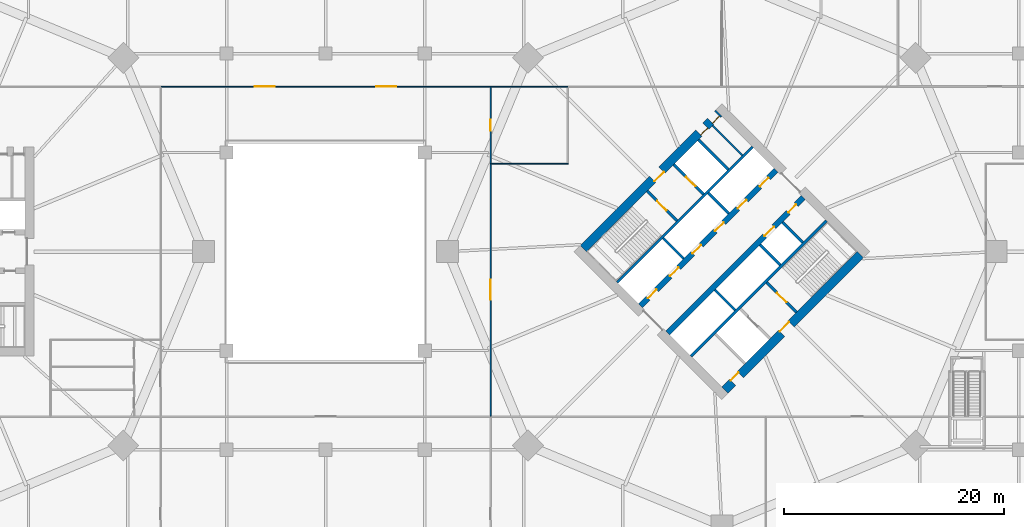
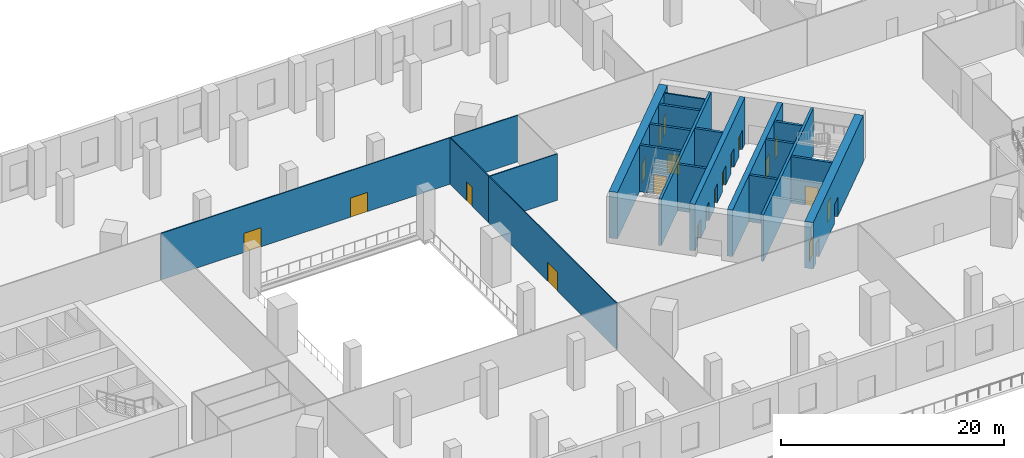
# One storey, part 8 of 20: 21 walls, 20 doors, 20 openings.
"""IFC4 building model written with IfcOpenShell, lengths in metres."""

from ifc_helpers import new_model, si_unit, direction, frame, frame_2d, origin, place, context, subcontext, project, spatial, rectangle, extrude, material, layer, layer_set, type_object, element, fill, save


model = new_model("IFC4")

# Units and contexts
model_context = context("Model", 3, precision=1e-05, world=origin(), true_north=direction((0.0, 1.0)))
body_context = subcontext(model_context, "Body", "Model", "MODEL_VIEW")
ifc_project = project(units=[si_unit("LENGTHUNIT", "METRE"), si_unit("AREAUNIT", "SQUARE_METRE"), si_unit("VOLUMEUNIT", "CUBIC_METRE"), si_unit("PLANEANGLEUNIT", "RADIAN"), si_unit("MASSUNIT", "GRAM", prefix="KILO")], contexts=[model_context])

# Site, building, storey
site_placement = place(None, origin())
site = spatial("IfcSite", under=ifc_project, at=site_placement, CompositionType="ELEMENT")
building_placement = place(site_placement, origin())
building = spatial("IfcBuilding", under=site, at=building_placement, Name="Ogive Gate Towers", CompositionType="ELEMENT")
storey_placement = place(building_placement, frame((0.0, 0.0, 7.199951171875)))
storey = spatial("IfcBuildingStorey", under=building, at=storey_placement, Name="L01", CompositionType="ELEMENT", Elevation=7.199951171875)

# Wall, openings, doors
ifc_material_1 = material(Name="Concrete C60/75", Category="concrete")
ifc_layer_1 = layer(ifc_material_1, 0.800048828125)
ifc_layer_set_1 = layer_set([ifc_layer_1], Name="Core wall 800 mm")
wall_type_1 = type_object("IfcWallType", Name="Core wall 800 mm", PredefinedType="SHEAR", material=ifc_layer_set_1)
wall_1_placement = place(storey_placement, frame((36.28271484375, -12.58642578125, 0.0), z_axis=(0.0, 0.0, 1.0), x_axis=(0.707106781187, 0.707106781187, 0.0)))
wall_1 = element("IfcWall", 1, at=wall_1_placement, inside=storey, type_object=wall_type_1, Name="T2 L01 Core wall 800 mm", PredefinedType="SHEAR", context=body_context, shape_type="SweptSolid", body=[
    extrude(rectangle(XDim=17.400146484375, YDim=0.800048828125, at=frame_2d((8.7001953125, 0.0))), origin(), (0.0, 0.0, 1.0), 5.10009765625),
])
opening_1_placement = place(wall_1_placement, frame((7.300048828125, 0.0, 0.0)))
opening_1 = element("IfcOpeningElement", 2, at=opening_1_placement, cuts=wall_1, Name="Opening KD-T2-L01-16", PredefinedType="OPENING", context=body_context, shape_type="SweptSolid", body=[
    extrude(rectangle(XDim=1.199951171875, YDim=2.10009765625, at=frame_2d((0.60009765625, 1.050048828125))), frame((0.0, 0.41015625, 0.0), z_axis=(0.0, -1.0, 0.0), x_axis=(1.0, 0.0, 0.0)), (0.0, 0.0, 1.0), 0.820068359375),
])
opening_2_placement = place(wall_1_placement, frame((1.0, 0.0, 0.0)))
opening_2 = element("IfcOpeningElement", 3, at=opening_2_placement, cuts=wall_1, Name="Opening KD-T2-L01-19", PredefinedType="OPENING", context=body_context, shape_type="SweptSolid", body=[
    extrude(rectangle(XDim=1.0, YDim=2.10009765625, at=frame_2d((0.5, 1.050048828125))), frame((0.0, 0.41015625, 0.0), z_axis=(0.0, -1.0, 0.0), x_axis=(1.0, 0.0, 0.0)), (0.0, 0.0, 1.0), 0.820068359375),
])
ifc_material_2 = material(Name="Timber door", Category="wood")
door_type_1 = type_object("IfcDoorType", Name="Accessible WC door 1000 x 2100", OperationType="NOTDEFINED", PredefinedType="DOOR", material=ifc_material_2)
door_1_placement = place(opening_2_placement, origin())
door_1 = element("IfcDoor", 4, at=door_1_placement, inside=storey, type_object=door_type_1, Name="T2 L01 Core door", OperationType="SINGLE_SWING_RIGHT", OverallHeight=2.10009765625, OverallWidth=1.0, PredefinedType="DOOR", context=body_context, shape_type="SweptSolid", body=[
    extrude(rectangle(XDim=1.0, YDim=2.10009765625, at=frame_2d((0.5, 1.050048828125))), frame((0.0, 0.27490234375, 0.0), z_axis=(0.0, -1.0, 0.0), x_axis=(1.0, 0.0, 0.0)), (0.0, 0.0, 1.0), 0.050048828125),
])
fill(opening_2, door_1)
ifc_material_3 = material(Name="Steel fire door", Category="steel")
door_type_2 = type_object("IfcDoorType", Name="Core door FD60S 1200 x 2100", OperationType="NOTDEFINED", PredefinedType="DOOR", material=ifc_material_3)
door_2_placement = place(opening_1_placement, origin())
door_2 = element("IfcDoor", 5, at=door_2_placement, inside=storey, type_object=door_type_2, Name="T2 L01 Fire-fighting lobby door", OperationType="SINGLE_SWING_LEFT", OverallHeight=2.10009765625, OverallWidth=1.199951171875, PredefinedType="DOOR", context=body_context, shape_type="SweptSolid", body=[
    extrude(rectangle(XDim=1.199951171875, YDim=2.10009765625, at=frame_2d((0.60009765625, 1.050048828125))), frame((0.0, 0.27490234375, 0.0), z_axis=(0.0, -1.0, 0.0), x_axis=(1.0, 0.0, 0.0)), (0.0, 0.0, 1.0), 0.050048828125),
])
fill(opening_1, door_2)

wall_2_placement = place(storey_placement, frame((23.41357421875, 0.28271484375, 0.0), z_axis=(0.0, 0.0, 1.0), x_axis=(0.707106781187, 0.707106781187, 0.0)))
wall_2 = element("IfcWall", 6, at=wall_2_placement, inside=storey, type_object=wall_type_1, Name="T2 L01 Core wall 800 mm", PredefinedType="SHEAR", context=body_context, shape_type="SweptSolid", body=[
    extrude(rectangle(XDim=17.400146484375, YDim=0.800048828125, at=frame_2d((8.7001953125, 0.0))), origin(), (0.0, 0.0, 1.0), 5.10009765625),
])
opening_3_placement = place(wall_2_placement, frame((8.89990234375, 0.0, 0.0)))
opening_3 = element("IfcOpeningElement", 7, at=opening_3_placement, cuts=wall_2, Name="Opening KD-T2-L01-15", PredefinedType="OPENING", context=body_context, shape_type="SweptSolid", body=[
    extrude(rectangle(XDim=1.199951171875, YDim=2.10009765625, at=frame_2d((0.60009765625, 1.050048828125))), frame((0.0, 0.41015625, 0.0), z_axis=(0.0, -1.0, 0.0), x_axis=(1.0, 0.0, 0.0)), (0.0, 0.0, 1.0), 0.820068359375),
])
opening_4_placement = place(wall_2_placement, frame((14.85009765625, 0.0, 0.0)))
opening_4 = element("IfcOpeningElement", 8, at=opening_4_placement, cuts=wall_2, Name="Opening KD-T2-L01-17", PredefinedType="OPENING", context=body_context, shape_type="SweptSolid", body=[
    extrude(rectangle(XDim=0.89990234375, YDim=2.10009765625, at=frame_2d((0.449951171875, 1.050048828125))), frame((0.0, 0.41015625, 0.0), z_axis=(0.0, -1.0, 0.0), x_axis=(1.0, 0.0, 0.0)), (0.0, 0.0, 1.0), 0.820068359375),
])
opening_5_placement = place(wall_2_placement, frame((16.35009765625, 0.0, 0.0)))
opening_5 = element("IfcOpeningElement", 9, at=opening_5_placement, cuts=wall_2, Name="Opening KD-T2-L01-18", PredefinedType="OPENING", context=body_context, shape_type="SweptSolid", body=[
    extrude(rectangle(XDim=0.89990234375, YDim=2.10009765625, at=frame_2d((0.449951171875, 1.050048828125))), frame((0.0, 0.41015625, 0.0), z_axis=(0.0, -1.0, 0.0), x_axis=(1.0, 0.0, 0.0)), (0.0, 0.0, 1.0), 0.820068359375),
])
door_type_3 = type_object("IfcDoorType", Name="Core WC door 900 x 2100", OperationType="NOTDEFINED", PredefinedType="DOOR", material=ifc_material_2)
door_3_placement = place(opening_4_placement, origin())
door_3 = element("IfcDoor", 10, at=door_3_placement, inside=storey, type_object=door_type_3, Name="T2 L01 Core door", OperationType="SINGLE_SWING_RIGHT", OverallHeight=2.10009765625, OverallWidth=0.89990234375, PredefinedType="DOOR", context=body_context, shape_type="SweptSolid", body=[
    extrude(rectangle(XDim=0.89990234375, YDim=2.10009765625, at=frame_2d((0.449951171875, 1.050048828125))), frame((0.0, -0.22509765625, 0.0), z_axis=(0.0, -1.0, 0.0), x_axis=(1.0, 0.0, 0.0)), (0.0, 0.0, 1.0), 0.050048828125),
])
fill(opening_4, door_3)
door_4_placement = place(opening_5_placement, origin())
door_4 = element("IfcDoor", 11, at=door_4_placement, inside=storey, type_object=door_type_3, Name="T2 L01 Core door", OperationType="SINGLE_SWING_LEFT", OverallHeight=2.10009765625, OverallWidth=0.89990234375, PredefinedType="DOOR", context=body_context, shape_type="SweptSolid", body=[
    extrude(rectangle(XDim=0.89990234375, YDim=2.10009765625, at=frame_2d((0.449951171875, 1.050048828125))), frame((0.0, -0.22509765625, 0.0), z_axis=(0.0, -1.0, 0.0), x_axis=(1.0, 0.0, 0.0)), (0.0, 0.0, 1.0), 0.050048828125),
])
fill(opening_5, door_4)
door_5_placement = place(opening_3_placement, origin())
door_5 = element("IfcDoor", 12, at=door_5_placement, inside=storey, type_object=door_type_2, Name="T2 L01 Fire-fighting lobby door", OperationType="SINGLE_SWING_RIGHT", OverallHeight=2.10009765625, OverallWidth=1.199951171875, PredefinedType="DOOR", context=body_context, shape_type="SweptSolid", body=[
    extrude(rectangle(XDim=1.199951171875, YDim=2.10009765625, at=frame_2d((0.60009765625, 1.050048828125))), frame((0.0, -0.22509765625, 0.0), z_axis=(0.0, -1.0, 0.0), x_axis=(1.0, 0.0, 0.0)), (0.0, 0.0, 1.0), 0.050048828125),
])
fill(opening_3, door_5)

ifc_material_4 = material(Name="Gypsum board partition")
ifc_layer_2 = layer(ifc_material_4, 0.10009765625)
ifc_layer_set_2 = layer_set([ifc_layer_2], Name="Partition wall 100")
wall_type_2 = type_object("IfcWallType", Name="Partition wall 100", PredefinedType="PARTITIONING", material=ifc_layer_set_2)
wall_3_placement = place(storey_placement, frame((-15.0, 15.0, 0.0), z_axis=(0.0, 0.0, 1.0), x_axis=(1.0, 0.0, 0.0)))
wall_3 = element("IfcWall", 13, at=wall_3_placement, inside=storey, type_object=wall_type_2, Name="L01 partition 019", PredefinedType="PARTITIONING", context=body_context, shape_type="SweptSolid", body=[
    extrude(rectangle(XDim=30.0, YDim=0.10009765625, at=frame_2d((15.0, 0.0))), origin(), (0.0, 0.0, 1.0), 5.10009765625),
])
opening_6_placement = place(wall_3_placement, frame((8.580078125, 0.0, 0.0)))
opening_6 = element("IfcOpeningElement", 14, at=opening_6_placement, cuts=wall_3, Name="Opening PO134", PredefinedType="OPENING", context=body_context, shape_type="SweptSolid", body=[
    extrude(rectangle(XDim=1.800048828125, YDim=2.10009765625, at=frame_2d((0.89990234375, 1.050048828125))), frame((0.0, 0.06005859375, 0.0), z_axis=(0.0, -1.0, 0.0), x_axis=(1.0, 0.0, 0.0)), (0.0, 0.0, 1.0), 0.1201171875),
])
opening_7_placement = place(wall_3_placement, frame((19.6201171875, 0.0, 0.0)))
opening_7 = element("IfcOpeningElement", 15, at=opening_7_placement, cuts=wall_3, Name="Opening PO135", PredefinedType="OPENING", context=body_context, shape_type="SweptSolid", body=[
    extrude(rectangle(XDim=1.800048828125, YDim=2.10009765625, at=frame_2d((0.89990234375, 1.050048828125))), frame((0.0, 0.06005859375, 0.0), z_axis=(0.0, -1.0, 0.0), x_axis=(1.0, 0.0, 0.0)), (0.0, 0.0, 1.0), 0.1201171875),
])
door_type_4 = type_object("IfcDoorType", Name="Double door 1800 x 2100", OperationType="NOTDEFINED", PredefinedType="DOOR", material=ifc_material_2)
door_6_placement = place(opening_6_placement, origin())
door_6 = element("IfcDoor", 16, at=door_6_placement, inside=storey, type_object=door_type_4, Name="Door PO134", OperationType="DOUBLE_DOOR_DOUBLE_SWING", OverallHeight=2.10009765625, OverallWidth=1.800048828125, PredefinedType="DOOR", context=body_context, shape_type="SweptSolid", body=[
    extrude(rectangle(XDim=1.800048828125, YDim=2.10009765625, at=frame_2d((0.89990234375, 1.050048828125))), frame((0.0, 0.02490234375, 0.0), z_axis=(0.0, -1.0, 0.0), x_axis=(1.0, 0.0, 0.0)), (0.0, 0.0, 1.0), 0.050048828125),
])
fill(opening_6, door_6)
door_7_placement = place(opening_7_placement, origin())
door_7 = element("IfcDoor", 17, at=door_7_placement, inside=storey, type_object=door_type_4, Name="Door PO135", OperationType="DOUBLE_DOOR_DOUBLE_SWING", OverallHeight=2.10009765625, OverallWidth=1.800048828125, PredefinedType="DOOR", context=body_context, shape_type="SweptSolid", body=[
    extrude(rectangle(XDim=1.800048828125, YDim=2.10009765625, at=frame_2d((0.89990234375, 1.050048828125))), frame((0.0, 0.02490234375, 0.0), z_axis=(0.0, -1.0, 0.0), x_axis=(1.0, 0.0, 0.0)), (0.0, 0.0, 1.0), 0.050048828125),
])
fill(opening_7, door_7)

# Wall
wall_4_placement = place(storey_placement, frame((15.0, 15.0, 0.0), z_axis=(0.0, 0.0, 1.0), x_axis=(1.0, 0.0, 0.0)))
element("IfcWall", 18, at=wall_4_placement, inside=storey, type_object=wall_type_2, Name="L01 partition 020", PredefinedType="PARTITIONING", context=body_context, shape_type="SweptSolid", body=[
    extrude(rectangle(XDim=7.0, YDim=0.10009765625, at=frame_2d((3.5, 0.0))), origin(), (0.0, 0.0, 1.0), 5.10009765625),
])

# Wall, opening, door
wall_5_placement = place(storey_placement, frame((15.0, 8.0, 0.0), z_axis=(0.0, 0.0, 1.0), x_axis=(0.0, 1.0, 0.0)))
wall_5 = element("IfcWall", 19, at=wall_5_placement, inside=storey, type_object=wall_type_2, Name="L01 partition 030", PredefinedType="PARTITIONING", context=body_context, shape_type="SweptSolid", body=[
    extrude(rectangle(XDim=6.949951171875, YDim=0.10009765625, at=frame_2d((3.47509765625, 0.0))), origin(), (0.0, 0.0, 1.0), 5.10009765625),
])
opening_8_placement = place(wall_5_placement, frame((2.97509765625, 0.0, 0.0)))
opening_8 = element("IfcOpeningElement", 20, at=opening_8_placement, cuts=wall_5, Name="Opening PO151", PredefinedType="OPENING", context=body_context, shape_type="SweptSolid", body=[
    extrude(rectangle(XDim=1.0, YDim=2.10009765625, at=frame_2d((0.5, 1.050048828125))), frame((0.0, 0.06005859375, 0.0), z_axis=(0.0, -1.0, 0.0), x_axis=(1.0, 0.0, 0.0)), (0.0, 0.0, 1.0), 0.1201171875),
])
door_type_5 = type_object("IfcDoorType", Name="Door 1000 x 2100", OperationType="NOTDEFINED", PredefinedType="DOOR", material=ifc_material_2)
door_8_placement = place(opening_8_placement, origin())
door_8 = element("IfcDoor", 21, at=door_8_placement, inside=storey, type_object=door_type_5, Name="Door PO151", OperationType="SINGLE_SWING_LEFT", OverallHeight=2.10009765625, OverallWidth=1.0, PredefinedType="DOOR", context=body_context, shape_type="SweptSolid", body=[
    extrude(rectangle(XDim=1.0, YDim=2.10009765625, at=frame_2d((0.5, 1.050048828125))), frame((0.0, 0.02490234375, 0.0), z_axis=(0.0, -1.0, 0.0), x_axis=(1.0, 0.0, 0.0)), (0.0, 0.0, 1.0), 0.050048828125),
])
fill(opening_8, door_8)

wall_6_placement = place(storey_placement, frame((15.0, -14.949951171875, 0.0), z_axis=(0.0, 0.0, 1.0), x_axis=(0.0, 1.0, 0.0)))
wall_6 = element("IfcWall", 22, at=wall_6_placement, inside=storey, type_object=wall_type_2, Name="L01 partition 032", PredefinedType="PARTITIONING", context=body_context, shape_type="SweptSolid", body=[
    extrude(rectangle(XDim=22.949951171875, YDim=0.10009765625, at=frame_2d((11.47509765625, 0.0))), origin(), (0.0, 0.0, 1.0), 5.10009765625),
])
opening_9_placement = place(wall_6_placement, frame((10.574951171875, 0.0, 0.0)))
opening_9 = element("IfcOpeningElement", 23, at=opening_9_placement, cuts=wall_6, Name="Opening PO153", PredefinedType="OPENING", context=body_context, shape_type="SweptSolid", body=[
    extrude(rectangle(XDim=1.800048828125, YDim=2.10009765625, at=frame_2d((0.89990234375, 1.050048828125))), frame((0.0, 0.06005859375, 0.0), z_axis=(0.0, -1.0, 0.0), x_axis=(1.0, 0.0, 0.0)), (0.0, 0.0, 1.0), 0.1201171875),
])
door_9_placement = place(opening_9_placement, origin())
door_9 = element("IfcDoor", 24, at=door_9_placement, inside=storey, type_object=door_type_4, Name="Door PO153", OperationType="DOUBLE_DOOR_DOUBLE_SWING", OverallHeight=2.10009765625, OverallWidth=1.800048828125, PredefinedType="DOOR", context=body_context, shape_type="SweptSolid", body=[
    extrude(rectangle(XDim=1.800048828125, YDim=2.10009765625, at=frame_2d((0.89990234375, 1.050048828125))), frame((0.0, 0.02490234375, 0.0), z_axis=(0.0, -1.0, 0.0), x_axis=(1.0, 0.0, 0.0)), (0.0, 0.0, 1.0), 0.050048828125),
])
fill(opening_9, door_9)

# Walls
wall_7_placement = place(storey_placement, frame((15.050048828125, 8.0, 0.0), z_axis=(0.0, 0.0, 1.0), x_axis=(1.0, 0.0, 0.0)))
element("IfcWall", 25, at=wall_7_placement, inside=storey, type_object=wall_type_2, Name="L01 partition 060", PredefinedType="PARTITIONING", context=body_context, shape_type="SweptSolid", body=[
    extrude(rectangle(XDim=7.0, YDim=0.10009765625, at=frame_2d((3.5, 0.0))), origin(), (0.0, 0.0, 1.0), 5.10009765625),
])
ifc_layer_3 = layer(ifc_material_4, 0.14990234375)
ifc_layer_set_3 = layer_set([ifc_layer_3], Name="Room partition 150 mm")
wall_type_3 = type_object("IfcWallType", Name="Room partition 150 mm", PredefinedType="PARTITIONING", material=ifc_layer_set_3)
wall_8_placement = place(storey_placement, frame((37.856201171875, 8.75048828125, 0.0), z_axis=(0.0, 0.0, 1.0), x_axis=(-0.707106781187, 0.707106781187, 0.0)))
element("IfcWall", 26, at=wall_8_placement, inside=storey, type_object=wall_type_3, Name="T2 L01 Room partition 150 mm", PredefinedType="PARTITIONING", context=body_context, shape_type="SweptSolid", body=[
    extrude(rectangle(XDim=3.824951171875, YDim=0.14990234375, at=frame_2d((1.91259765625, 0.0))), origin(), (0.0, 0.0, 1.0), 5.10009765625),
])
ifc_layer_4 = layer(ifc_material_1, 0.25)
ifc_layer_set_4 = layer_set([ifc_layer_4], Name="Shaft wall 250 mm")
wall_type_4 = type_object("IfcWallType", Name="Shaft wall 250 mm", PredefinedType="SHEAR", material=ifc_layer_set_4)
for number, where, z_axis, x_axis, name in (
    (27, (33.206787109375, -9.510498046875, 0.0), (0.0, 0.0, 1.0), (0.707106781187, 0.707106781187, 0.0), "T2 L01 Shaft wall 250 mm"),
    (28, (26.489501953125, -2.793212890625, 0.0), (0.0, 0.0, 1.0), (0.707106781187, 0.707106781187, 0.0), "T2 L01 Shaft wall 250 mm"),
):
    element("IfcWall", number, at=place(storey_placement, frame(where, z_axis=z_axis, x_axis=x_axis)), inside=storey, type_object=wall_type_4, Name=name, PredefinedType="SHEAR", context=body_context, shape_type="SweptSolid", body=[
        extrude(rectangle(XDim=17.400146484375, YDim=0.25, at=frame_2d((8.7001953125, 0.0))), origin(), (0.0, 0.0, 1.0), 5.10009765625),
    ])
for number, where, z_axis, x_axis, name in (
    (29, (37.2197265625, -5.321044921875, 0.0), (0.0, 0.0, 1.0), (-0.707106781187, 0.707106781187, 0.0), "T2 L01 Shaft wall 250 mm"),
    (30, (32.53515625, -0.636474609375, 0.0), (0.0, 0.0, 1.0), (-0.707106781187, 0.707106781187, 0.0), "T2 L01 Shaft wall 250 mm"),
):
    element("IfcWall", number, at=place(storey_placement, frame(where, z_axis=z_axis, x_axis=x_axis)), inside=storey, type_object=wall_type_4, Name=name, PredefinedType="SHEAR", context=body_context, shape_type="SweptSolid", body=[
        extrude(rectangle(XDim=2.625, YDim=0.25, at=frame_2d((1.3125, 0.0))), origin(), (0.0, 0.0, 1.0), 5.10009765625),
    ])

# Wall, opening, door
wall_9_placement = place(storey_placement, frame((31.91650390625, 2.810791015625, 0.0), z_axis=(0.0, 0.0, 1.0), x_axis=(-0.707106781187, 0.707106781187, 0.0)))
wall_9 = element("IfcWall", 31, at=wall_9_placement, inside=storey, type_object=wall_type_4, Name="T2 L01 Shaft wall 250 mm", PredefinedType="SHEAR", context=body_context, shape_type="SweptSolid", body=[
    extrude(rectangle(XDim=3.824951171875, YDim=0.25, at=frame_2d((1.91259765625, 0.0))), origin(), (0.0, 0.0, 1.0), 5.10009765625),
])
opening_10_placement = place(wall_9_placement, frame((1.324951171875, 0.0, 0.0)))
opening_10 = element("IfcOpeningElement", 32, at=opening_10_placement, cuts=wall_9, Name="Opening KD-T2-L01-13", PredefinedType="OPENING", context=body_context, shape_type="SweptSolid", body=[
    extrude(rectangle(XDim=1.199951171875, YDim=2.10009765625, at=frame_2d((0.60009765625, 1.050048828125))), frame((0.0, 0.135009765625, 0.0), z_axis=(0.0, -1.0, 0.0), x_axis=(1.0, 0.0, 0.0)), (0.0, 0.0, 1.0), 0.27001953125),
])
door_10_placement = place(opening_10_placement, origin())
door_10 = element("IfcDoor", 33, at=door_10_placement, inside=storey, type_object=door_type_2, Name="T2 L01 Stair door", OperationType="SINGLE_SWING_RIGHT", OverallHeight=2.10009765625, OverallWidth=1.199951171875, PredefinedType="DOOR", context=body_context, shape_type="SweptSolid", body=[
    extrude(rectangle(XDim=1.199951171875, YDim=2.10009765625, at=frame_2d((0.60009765625, 1.050048828125))), frame((0.0, 0.02490234375, 0.0), z_axis=(0.0, -1.0, 0.0), x_axis=(1.0, 0.0, 0.0)), (0.0, 0.0, 1.0), 0.050048828125),
])
fill(opening_10, door_10)

wall_10_placement = place(storey_placement, frame((42.7880859375, -5.515380859375, 0.0), z_axis=(0.0, 0.0, 1.0), x_axis=(-0.707106781187, 0.707106781187, 0.0)))
wall_10 = element("IfcWall", 34, at=wall_10_placement, inside=storey, type_object=wall_type_4, Name="T2 L01 Shaft wall 250 mm", PredefinedType="SHEAR", context=body_context, shape_type="SweptSolid", body=[
    extrude(rectangle(XDim=3.824951171875, YDim=0.25, at=frame_2d((1.91259765625, 0.0))), origin(), (0.0, 0.0, 1.0), 5.10009765625),
])
opening_11_placement = place(wall_10_placement, frame((1.300048828125, 0.0, 0.0)))
opening_11 = element("IfcOpeningElement", 35, at=opening_11_placement, cuts=wall_10, Name="Opening KD-T2-L01-14", PredefinedType="OPENING", context=body_context, shape_type="SweptSolid", body=[
    extrude(rectangle(XDim=1.199951171875, YDim=2.10009765625, at=frame_2d((0.60009765625, 1.050048828125))), frame((0.0, 0.135009765625, 0.0), z_axis=(0.0, -1.0, 0.0), x_axis=(1.0, 0.0, 0.0)), (0.0, 0.0, 1.0), 0.27001953125),
])
door_11_placement = place(opening_11_placement, origin())
door_11 = element("IfcDoor", 36, at=door_11_placement, inside=storey, type_object=door_type_2, Name="T2 L01 Stair door", OperationType="SINGLE_SWING_LEFT", OverallHeight=2.10009765625, OverallWidth=1.199951171875, PredefinedType="DOOR", context=body_context, shape_type="SweptSolid", body=[
    extrude(rectangle(XDim=1.199951171875, YDim=2.10009765625, at=frame_2d((0.60009765625, 1.050048828125))), frame((0.0, 0.02490234375, 0.0), z_axis=(0.0, -1.0, 0.0), x_axis=(1.0, 0.0, 0.0)), (0.0, 0.0, 1.0), 0.050048828125),
])
fill(opening_11, door_11)

wall_11_placement = place(storey_placement, frame((34.320556640625, 5.21484375, 0.0), z_axis=(0.0, 0.0, 1.0), x_axis=(-0.707074866995, 0.707138693938, 0.0)))
wall_11 = element("IfcWall", 37, at=wall_11_placement, inside=storey, type_object=wall_type_4, Name="T2 L01 Shaft wall 250 mm", PredefinedType="SHEAR", context=body_context, shape_type="SweptSolid", body=[
    extrude(rectangle(XDim=3.824951171875, YDim=0.25, at=frame_2d((1.91259765625, 0.0))), origin(), (0.0, 0.0, 1.0), 5.10009765625),
])
opening_12_placement = place(wall_11_placement, frame((1.02490234375, 0.0, 0.0)))
opening_12 = element("IfcOpeningElement", 38, at=opening_12_placement, cuts=wall_11, Name="Opening LD-T2-L01-10", PredefinedType="OPENING", context=body_context, shape_type="SweptSolid", body=[
    extrude(rectangle(XDim=1.199951171875, YDim=2.10009765625, at=frame_2d((0.60009765625, 1.050048828125))), frame((0.0, 0.135009765625, 0.0), z_axis=(0.0, -1.0, 0.0), x_axis=(1.0, 0.0, 0.0)), (0.0, 0.0, 1.0), 0.27001953125),
])
ifc_material_5 = material(Name="Stainless steel landing door", Category="steel")
door_type_6 = type_object("IfcDoorType", Name="Landing door 1200 x 2100", OperationType="SLIDING_TO_LEFT", PredefinedType="DOOR", material=ifc_material_5)
door_12_placement = place(opening_12_placement, origin())
door_12 = element("IfcDoor", 39, at=door_12_placement, inside=storey, type_object=door_type_6, Name="T2 L01 Lift landing door FF1", OperationType="SLIDING_TO_LEFT", OverallHeight=2.10009765625, OverallWidth=1.199951171875, PredefinedType="DOOR", context=body_context, shape_type="SweptSolid", body=[
    extrude(rectangle(XDim=1.199951171875, YDim=2.10009765625, at=frame_2d((0.60009765625, 1.050048828125))), frame((0.0, 0.02490234375, 0.0), z_axis=(0.0, -1.0, 0.0), x_axis=(1.0, 0.0, 0.0)), (0.0, 0.0, 1.0), 0.050048828125),
])
fill(opening_12, door_12)

# Walls
for number, where, z_axis, x_axis, name in (
    (40, (41.321044921875, -1.2197265625, 0.0), (0.0, 0.0, 1.0), (-0.707106781187, 0.707106781187, 0.0), "T2 L01 Shaft wall 250 mm"),
    (41, (36.636474609375, 3.46484375, 0.0), (0.0, 0.0, 1.0), (-0.707106781187, 0.707106781187, 0.0), "T2 L01 Shaft wall 250 mm"),
):
    element("IfcWall", number, at=place(storey_placement, frame(where, z_axis=z_axis, x_axis=x_axis)), inside=storey, type_object=wall_type_4, Name=name, PredefinedType="SHEAR", context=body_context, shape_type="SweptSolid", body=[
        extrude(rectangle(XDim=2.625, YDim=0.25, at=frame_2d((1.3125, 0.0))), origin(), (0.0, 0.0, 1.0), 5.10009765625),
    ])
wall_12_placement = place(storey_placement, frame((36.58349609375, 7.477783203125, 0.0), z_axis=(0.0, 0.0, 1.0), x_axis=(-0.707138693938, 0.707074866995, 0.0)))
element("IfcWall", 42, at=wall_12_placement, inside=storey, type_object=wall_type_4, Name="T2 L01 Shaft wall 250 mm", PredefinedType="SHEAR", context=body_context, shape_type="SweptSolid", body=[
    extrude(rectangle(XDim=3.824951171875, YDim=0.25, at=frame_2d((1.91259765625, 0.0))), origin(), (0.0, 0.0, 1.0), 5.10009765625),
])
wall_13_placement = place(storey_placement, frame((43.37158203125, 0.830810546875, 0.0), z_axis=(0.0, 0.0, 1.0), x_axis=(-0.707106781187, 0.707106781187, 0.0)))
element("IfcWall", 43, at=wall_13_placement, inside=storey, type_object=wall_type_4, Name="T2 L01 Shaft wall 250 mm", PredefinedType="SHEAR", context=body_context, shape_type="SweptSolid", body=[
    extrude(rectangle(XDim=2.625, YDim=0.25, at=frame_2d((1.3125, 0.0))), origin(), (0.0, 0.0, 1.0), 5.10009765625),
])

# Wall, openings, doors
ifc_layer_5 = layer(ifc_material_1, 0.5)
ifc_layer_set_5 = layer_set([ifc_layer_5], Name="Spine wall 500 mm")
wall_type_5 = type_object("IfcWallType", Name="Spine wall 500 mm", PredefinedType="SHEAR", material=ifc_layer_set_5)
wall_14_placement = place(storey_placement, frame((31.085693359375, -7.389404296875, 0.0), z_axis=(0.0, 0.0, 1.0), x_axis=(0.707106781187, 0.707106781187, 0.0)))
wall_14 = element("IfcWall", 44, at=wall_14_placement, inside=storey, type_object=wall_type_5, Name="T2 L01 Spine wall 500 mm", PredefinedType="SHEAR", context=body_context, shape_type="SweptSolid", body=[
    extrude(rectangle(XDim=17.400146484375, YDim=0.5, at=frame_2d((8.7001953125, 0.0))), origin(), (0.0, 0.0, 1.0), 5.10009765625),
])
opening_13_placement = place(wall_14_placement, frame((12.449951171875, 0.0, 0.0)))
opening_13 = element("IfcOpeningElement", 45, at=opening_13_placement, cuts=wall_14, Name="Opening LD-T2-L01-09", PredefinedType="OPENING", context=body_context, shape_type="SweptSolid", body=[
    extrude(rectangle(XDim=1.199951171875, YDim=2.10009765625, at=frame_2d((0.60009765625, 1.050048828125))), frame((0.0, 0.260009765625, 0.0), z_axis=(0.0, -1.0, 0.0), x_axis=(1.0, 0.0, 0.0)), (0.0, 0.0, 1.0), 0.52001953125),
])
opening_14_placement = place(wall_14_placement, frame((15.5, 0.0, 0.0)))
opening_14 = element("IfcOpeningElement", 46, at=opening_14_placement, cuts=wall_14, Name="Opening KD-T2-L01-12", PredefinedType="OPENING", context=body_context, shape_type="SweptSolid", body=[
    extrude(rectangle(XDim=1.0, YDim=2.10009765625, at=frame_2d((0.5, 1.050048828125))), frame((0.0, 0.260009765625, 0.0), z_axis=(0.0, -1.0, 0.0), x_axis=(1.0, 0.0, 0.0)), (0.0, 0.0, 1.0), 0.52001953125),
])
door_type_7 = type_object("IfcDoorType", Name="Core door FD60S 1000 x 2100", OperationType="NOTDEFINED", PredefinedType="DOOR", material=ifc_material_3)
door_13_placement = place(opening_14_placement, origin())
door_13 = element("IfcDoor", 47, at=door_13_placement, inside=storey, type_object=door_type_7, Name="T2 L01 Core door", OperationType="SINGLE_SWING_LEFT", OverallHeight=2.10009765625, OverallWidth=1.0, PredefinedType="DOOR", context=body_context, shape_type="SweptSolid", body=[
    extrude(rectangle(XDim=1.0, YDim=2.10009765625, at=frame_2d((0.5, 1.050048828125))), frame((0.0, 0.02490234375, 0.0), z_axis=(0.0, -1.0, 0.0), x_axis=(1.0, 0.0, 0.0)), (0.0, 0.0, 1.0), 0.050048828125),
])
fill(opening_14, door_13)
door_14_placement = place(opening_13_placement, origin())
door_14 = element("IfcDoor", 48, at=door_14_placement, inside=storey, type_object=door_type_6, Name="T2 L01 Lift landing door SVC", OperationType="SLIDING_TO_LEFT", OverallHeight=2.10009765625, OverallWidth=1.199951171875, PredefinedType="DOOR", context=body_context, shape_type="SweptSolid", body=[
    extrude(rectangle(XDim=1.199951171875, YDim=2.10009765625, at=frame_2d((0.60009765625, 1.050048828125))), frame((0.0, 0.02490234375, 0.0), z_axis=(0.0, -1.0, 0.0), x_axis=(1.0, 0.0, 0.0)), (0.0, 0.0, 1.0), 0.050048828125),
])
fill(opening_13, door_14)

wall_15_placement = place(storey_placement, frame((28.610595703125, -4.914306640625, 0.0), z_axis=(0.0, 0.0, 1.0), x_axis=(0.707106781187, 0.707106781187, 0.0)))
wall_15 = element("IfcWall", 49, at=wall_15_placement, inside=storey, type_object=wall_type_5, Name="T2 L01 Spine wall 500 mm", PredefinedType="SHEAR", context=body_context, shape_type="SweptSolid", body=[
    extrude(rectangle(XDim=17.400146484375, YDim=0.5, at=frame_2d((8.7001953125, 0.0))), origin(), (0.0, 0.0, 1.0), 5.10009765625),
])
opening_15_placement = place(wall_15_placement, frame((0.96240234375, 0.0, 0.0)))
opening_15 = element("IfcOpeningElement", 50, at=opening_15_placement, cuts=wall_15, Name="Opening LD-T2-L01-03", PredefinedType="OPENING", context=body_context, shape_type="SweptSolid", body=[
    extrude(rectangle(XDim=1.10009765625, YDim=2.10009765625, at=frame_2d((0.550048828125, 1.050048828125))), frame((0.0, 0.260009765625, 0.0), z_axis=(0.0, -1.0, 0.0), x_axis=(1.0, 0.0, 0.0)), (0.0, 0.0, 1.0), 0.52001953125),
])
opening_16_placement = place(wall_15_placement, frame((3.800048828125, 0.0, 0.0)))
opening_16 = element("IfcOpeningElement", 51, at=opening_16_placement, cuts=wall_15, Name="Opening LD-T2-L01-04", PredefinedType="OPENING", context=body_context, shape_type="SweptSolid", body=[
    extrude(rectangle(XDim=1.10009765625, YDim=2.10009765625, at=frame_2d((0.550048828125, 1.050048828125))), frame((0.0, 0.260009765625, 0.0), z_axis=(0.0, -1.0, 0.0), x_axis=(1.0, 0.0, 0.0)), (0.0, 0.0, 1.0), 0.52001953125),
])
opening_17_placement = place(wall_15_placement, frame((6.699951171875, 0.0, 0.0)))
opening_17 = element("IfcOpeningElement", 52, at=opening_17_placement, cuts=wall_15, Name="Opening LD-T2-L01-05", PredefinedType="OPENING", context=body_context, shape_type="SweptSolid", body=[
    extrude(rectangle(XDim=1.10009765625, YDim=2.10009765625, at=frame_2d((0.550048828125, 1.050048828125))), frame((0.0, 0.260009765625, 0.0), z_axis=(0.0, -1.0, 0.0), x_axis=(1.0, 0.0, 0.0)), (0.0, 0.0, 1.0), 0.52001953125),
])
opening_18_placement = place(wall_15_placement, frame((9.60009765625, 0.0, 0.0)))
opening_18 = element("IfcOpeningElement", 53, at=opening_18_placement, cuts=wall_15, Name="Opening LD-T2-L01-06", PredefinedType="OPENING", context=body_context, shape_type="SweptSolid", body=[
    extrude(rectangle(XDim=1.10009765625, YDim=2.10009765625, at=frame_2d((0.550048828125, 1.050048828125))), frame((0.0, 0.260009765625, 0.0), z_axis=(0.0, -1.0, 0.0), x_axis=(1.0, 0.0, 0.0)), (0.0, 0.0, 1.0), 0.52001953125),
])
opening_19_placement = place(wall_15_placement, frame((12.5, 0.0, 0.0)))
opening_19 = element("IfcOpeningElement", 54, at=opening_19_placement, cuts=wall_15, Name="Opening LD-T2-L01-07", PredefinedType="OPENING", context=body_context, shape_type="SweptSolid", body=[
    extrude(rectangle(XDim=1.10009765625, YDim=2.10009765625, at=frame_2d((0.550048828125, 1.050048828125))), frame((0.0, 0.260009765625, 0.0), z_axis=(0.0, -1.0, 0.0), x_axis=(1.0, 0.0, 0.0)), (0.0, 0.0, 1.0), 0.52001953125),
])
opening_20_placement = place(wall_15_placement, frame((15.33740234375, 0.0, 0.0)))
opening_20 = element("IfcOpeningElement", 55, at=opening_20_placement, cuts=wall_15, Name="Opening LD-T2-L01-08", PredefinedType="OPENING", context=body_context, shape_type="SweptSolid", body=[
    extrude(rectangle(XDim=1.10009765625, YDim=2.10009765625, at=frame_2d((0.550048828125, 1.050048828125))), frame((0.0, 0.260009765625, 0.0), z_axis=(0.0, -1.0, 0.0), x_axis=(1.0, 0.0, 0.0)), (0.0, 0.0, 1.0), 0.52001953125),
])
door_type_8 = type_object("IfcDoorType", Name="Landing door 1100 x 2100", OperationType="SLIDING_TO_LEFT", PredefinedType="DOOR", material=ifc_material_5)
door_15_placement = place(opening_15_placement, origin())
door_15 = element("IfcDoor", 56, at=door_15_placement, inside=storey, type_object=door_type_8, Name="T2 L01 Lift landing door A1", OperationType="SLIDING_TO_LEFT", OverallHeight=2.10009765625, OverallWidth=1.10009765625, PredefinedType="DOOR", context=body_context, shape_type="SweptSolid", body=[
    extrude(rectangle(XDim=1.10009765625, YDim=2.10009765625, at=frame_2d((0.550048828125, 1.050048828125))), frame((0.0, 0.02490234375, 0.0), z_axis=(0.0, -1.0, 0.0), x_axis=(1.0, 0.0, 0.0)), (0.0, 0.0, 1.0), 0.050048828125),
])
fill(opening_15, door_15)
door_16_placement = place(opening_16_placement, origin())
door_16 = element("IfcDoor", 57, at=door_16_placement, inside=storey, type_object=door_type_8, Name="T2 L01 Lift landing door A2", OperationType="SLIDING_TO_LEFT", OverallHeight=2.10009765625, OverallWidth=1.10009765625, PredefinedType="DOOR", context=body_context, shape_type="SweptSolid", body=[
    extrude(rectangle(XDim=1.10009765625, YDim=2.10009765625, at=frame_2d((0.550048828125, 1.050048828125))), frame((0.0, 0.02490234375, 0.0), z_axis=(0.0, -1.0, 0.0), x_axis=(1.0, 0.0, 0.0)), (0.0, 0.0, 1.0), 0.050048828125),
])
fill(opening_16, door_16)
door_17_placement = place(opening_17_placement, origin())
door_17 = element("IfcDoor", 58, at=door_17_placement, inside=storey, type_object=door_type_8, Name="T2 L01 Lift landing door A3", OperationType="SLIDING_TO_LEFT", OverallHeight=2.10009765625, OverallWidth=1.10009765625, PredefinedType="DOOR", context=body_context, shape_type="SweptSolid", body=[
    extrude(rectangle(XDim=1.10009765625, YDim=2.10009765625, at=frame_2d((0.550048828125, 1.050048828125))), frame((0.0, 0.02490234375, 0.0), z_axis=(0.0, -1.0, 0.0), x_axis=(1.0, 0.0, 0.0)), (0.0, 0.0, 1.0), 0.050048828125),
])
fill(opening_17, door_17)
door_18_placement = place(opening_18_placement, origin())
door_18 = element("IfcDoor", 59, at=door_18_placement, inside=storey, type_object=door_type_8, Name="T2 L01 Lift landing door A4", OperationType="SLIDING_TO_LEFT", OverallHeight=2.10009765625, OverallWidth=1.10009765625, PredefinedType="DOOR", context=body_context, shape_type="SweptSolid", body=[
    extrude(rectangle(XDim=1.10009765625, YDim=2.10009765625, at=frame_2d((0.550048828125, 1.050048828125))), frame((0.0, 0.02490234375, 0.0), z_axis=(0.0, -1.0, 0.0), x_axis=(1.0, 0.0, 0.0)), (0.0, 0.0, 1.0), 0.050048828125),
])
fill(opening_18, door_18)
door_19_placement = place(opening_19_placement, origin())
door_19 = element("IfcDoor", 60, at=door_19_placement, inside=storey, type_object=door_type_8, Name="T2 L01 Lift landing door A5", OperationType="SLIDING_TO_LEFT", OverallHeight=2.10009765625, OverallWidth=1.10009765625, PredefinedType="DOOR", context=body_context, shape_type="SweptSolid", body=[
    extrude(rectangle(XDim=1.10009765625, YDim=2.10009765625, at=frame_2d((0.550048828125, 1.050048828125))), frame((0.0, 0.02490234375, 0.0), z_axis=(0.0, -1.0, 0.0), x_axis=(1.0, 0.0, 0.0)), (0.0, 0.0, 1.0), 0.050048828125),
])
fill(opening_19, door_19)
door_20_placement = place(opening_20_placement, origin())
door_20 = element("IfcDoor", 61, at=door_20_placement, inside=storey, type_object=door_type_8, Name="T2 L01 Lift landing door A6", OperationType="SLIDING_TO_LEFT", OverallHeight=2.10009765625, OverallWidth=1.10009765625, PredefinedType="DOOR", context=body_context, shape_type="SweptSolid", body=[
    extrude(rectangle(XDim=1.10009765625, YDim=2.10009765625, at=frame_2d((0.550048828125, 1.050048828125))), frame((0.0, 0.02490234375, 0.0), z_axis=(0.0, -1.0, 0.0), x_axis=(1.0, 0.0, 0.0)), (0.0, 0.0, 1.0), 0.050048828125),
])
fill(opening_20, door_20)

save(model, "model.ifc")
